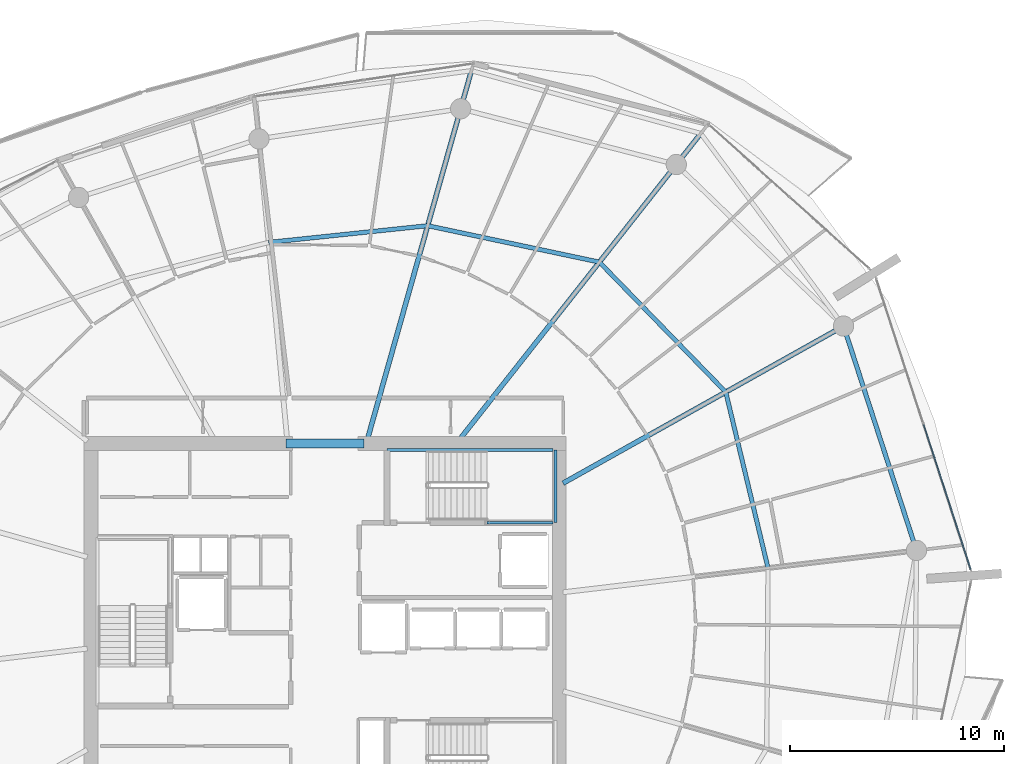
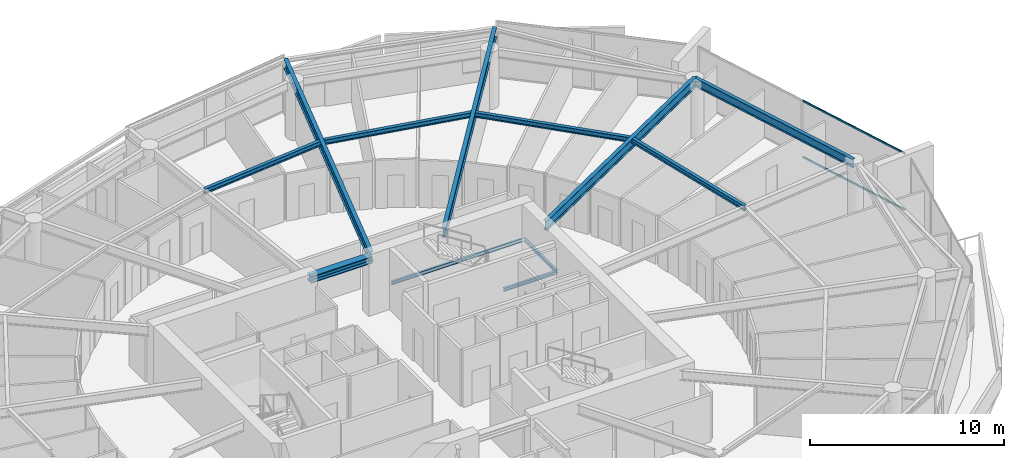
# One storey, part 14 of 30: 12 beams, 2 members, 1 element without a shape of its own.
"""IFC4 building model written with IfcOpenShell, lengths in metres."""

from ifc_helpers import new_model, si_unit, direction, frame, origin, origin_2d, place, context, subcontext, project, spatial, rectangle, i_section, extrude, material, layer, layer_set, material_profile, profile_set, type_object, element, aggregate, save


model = new_model("IFC4")

# Units and contexts
model_context = context("Model", 3, precision=1e-05, world=origin(), true_north=direction((0.0, 1.0)))
body_context = subcontext(model_context, "Body", "Model", "MODEL_VIEW")
ifc_project = project(units=[si_unit("LENGTHUNIT", "METRE"), si_unit("AREAUNIT", "SQUARE_METRE"), si_unit("VOLUMEUNIT", "CUBIC_METRE"), si_unit("PLANEANGLEUNIT", "RADIAN"), si_unit("MASSUNIT", "GRAM", prefix="KILO")], contexts=[model_context])

# Site, building, storey
site_placement = place(None, origin())
site = spatial("IfcSite", under=ifc_project, at=site_placement, CompositionType="ELEMENT")
building_placement = place(site_placement, origin())
building = spatial("IfcBuilding", under=site, at=building_placement, Name="Kazma Halo Residences", CompositionType="ELEMENT")
storey_placement = place(building_placement, frame((0.0, 0.0, 263.64990234375)))
storey = spatial("IfcBuildingStorey", under=building, at=storey_placement, Name="L66", CompositionType="ELEMENT", Elevation=263.64990234375)

# Beams
ifc_material_1 = material(Name="Steel S355", Category="steel")
ifc_material_profile_1 = material_profile(ifc_material_1, i_section(OverallWidth=0.408935546875, OverallDepth=0.425048828125, WebThickness=0.03271484375, FlangeThickness=0.052490234375, FilletRadius=0.02001953125, at=origin_2d()), Name="W360x421")
ifc_profile_set_1 = profile_set([ifc_material_profile_1], Name="Steel S355")
beam_type_1 = type_object("IfcBeamType", Name="BM-CORE-W360H", PredefinedType="BEAM", material=ifc_profile_set_1)
beam_1_placement = place(storey_placement, frame((46.60009765625, 50.324951171875, 3.377685546875), z_axis=(1.0, 0.0, 0.0), x_axis=(0.0, 1.0, 0.0)))
element("IfcBeam", 1, at=beam_1_placement, inside=storey, type_object=beam_type_1, Name="L66 core coupling beam N", PredefinedType="BEAM", context=body_context, shape_type="SweptSolid", body=[
    extrude(i_section(OverallWidth=0.408935546875, OverallDepth=0.425048828125, WebThickness=0.03271484375, FlangeThickness=0.052490234375, FilletRadius=0.02001953125, at=origin_2d()), origin(), (0.0, 0.0, 1.0), 3.64990234375),
])
ifc_material_profile_2 = material_profile(ifc_material_1, i_section(OverallWidth=0.22802734375, OverallDepth=0.60791015625, WebThickness=0.01123046875, FlangeThickness=0.017333984375, FilletRadius=0.01806640625, at=origin_2d()), Name="W610x113")
ifc_profile_set_2 = profile_set([ifc_material_profile_2], Name="Steel S355")
beam_type_2 = type_object("IfcBeamType", Name="BM-RAD-W610", PredefinedType="BEAM", material=ifc_profile_set_2)
beam_2_placement = place(storey_placement, frame((59.550048828125, 48.46826171875, 3.2861328125), z_axis=(0.872498817764, 0.488616222613, 0.0), x_axis=(-0.488616222613, 0.872498817764, 0.0)))
element("IfcBeam", 2, at=beam_2_placement, inside=storey, type_object=beam_type_2, Name="L66 radial floor beam 01", PredefinedType="BEAM", context=body_context, shape_type="SweptSolid", body=[
    extrude(i_section(OverallWidth=0.22802734375, OverallDepth=0.60791015625, WebThickness=0.01123046875, FlangeThickness=0.017333984375, FilletRadius=0.01806640625, at=origin_2d()), origin(), (0.0, 0.0, 1.0), 15.03759765625),
])
beam_3_placement = place(storey_placement, frame((54.700927734375, 50.5, 3.2861328125), z_axis=(0.6190864347, 0.785322854863, 0.0), x_axis=(-0.785322854863, 0.6190864347, 0.0)))
element("IfcBeam", 3, at=beam_3_placement, inside=storey, type_object=beam_type_2, Name="L66 radial floor beam 02", PredefinedType="BEAM", context=body_context, shape_type="SweptSolid", body=[
    extrude(i_section(OverallWidth=0.22802734375, OverallDepth=0.60791015625, WebThickness=0.01123046875, FlangeThickness=0.017333984375, FilletRadius=0.01806640625, at=origin_2d()), origin(), (0.0, 0.0, 1.0), 18.239013671875),
])
beam_4_placement = place(storey_placement, frame((50.397216796875, 50.5, 3.2861328125), z_axis=(0.271445290974, 0.962453871107, 0.0), x_axis=(-0.962453871107, 0.271445290974, 0.0)))
element("IfcBeam", 4, at=beam_4_placement, inside=storey, type_object=beam_type_2, Name="L66 radial floor beam 03", PredefinedType="BEAM", context=body_context, shape_type="SweptSolid", body=[
    extrude(i_section(OverallWidth=0.22802734375, OverallDepth=0.60791015625, WebThickness=0.01123046875, FlangeThickness=0.017333984375, FilletRadius=0.01806640625, at=origin_2d()), origin(), (0.0, 0.0, 1.0), 17.933349609375),
])
ifc_material_profile_3 = material_profile(ifc_material_1, i_section(OverallWidth=0.202880859375, OverallDepth=0.302978515625, WebThickness=0.007568359375, FlangeThickness=0.01318359375, FilletRadius=0.013916015625, at=origin_2d()), Name="W310x60")
ifc_profile_set_3 = profile_set([ifc_material_profile_3], Name="Steel S355")
beam_type_3 = type_object("IfcBeamType", Name="BM-SEC-W310A", PredefinedType="JOIST", material=ifc_profile_set_3)
beam_5_placement = place(storey_placement, frame((67.159912109375, 52.72998046875, 3.4384765625), z_axis=(-0.697145013687, 0.716930142964, 0.0), x_axis=(-0.716930142964, -0.697145013687, 0.0)))
element("IfcBeam", 5, at=beam_5_placement, inside=storey, type_object=beam_type_3, Name="L66 circumferential floor joist 01", PredefinedType="JOIST", context=body_context, shape_type="SweptSolid", body=[
    extrude(i_section(OverallWidth=0.202880859375, OverallDepth=0.302978515625, WebThickness=0.007568359375, FlangeThickness=0.01318359375, FilletRadius=0.013916015625, at=origin_2d()), origin(), (0.0, 0.0, 1.0), 8.477294921875),
])
beam_6_placement = place(storey_placement, frame((61.25, 58.8076171875, 3.4384765625), z_axis=(-0.978235588777, 0.207497308055, 0.0), x_axis=(-0.207497308055, -0.978235588777, 0.0)))
element("IfcBeam", 6, at=beam_6_placement, inside=storey, type_object=beam_type_3, Name="L66 circumferential floor joist 02", PredefinedType="JOIST", context=body_context, shape_type="SweptSolid", body=[
    extrude(i_section(OverallWidth=0.202880859375, OverallDepth=0.302978515625, WebThickness=0.007568359375, FlangeThickness=0.01318359375, FilletRadius=0.013916015625, at=origin_2d()), origin(), (0.0, 0.0, 1.0), 8.2080078125),
])
beam_7_placement = place(storey_placement, frame((53.220703125, 60.5107421875, 3.4384765625), z_axis=(-0.994528326067, -0.104467261141, 0.0), x_axis=(0.104467261141, -0.994528326067, 0.0)))
element("IfcBeam", 7, at=beam_7_placement, inside=storey, type_object=beam_type_3, Name="L66 circumferential floor joist 03", PredefinedType="JOIST", context=body_context, shape_type="SweptSolid", body=[
    extrude(i_section(OverallWidth=0.202880859375, OverallDepth=0.302978515625, WebThickness=0.007568359375, FlangeThickness=0.01318359375, FilletRadius=0.013916015625, at=origin_2d()), origin(), (0.0, 0.0, 1.0), 7.478515625),
])
beam_8_placement = place(storey_placement, frame((69.13720703125, 44.501708984375, 3.4384765625), z_axis=(-0.23365336492, 0.97231996023, 0.0), x_axis=(-0.97231996023, -0.23365336492, 0.0)))
element("IfcBeam", 8, at=beam_8_placement, inside=storey, type_object=beam_type_3, Name="L66 circumferential floor joist 16", PredefinedType="JOIST", context=body_context, shape_type="SweptSolid", body=[
    extrude(i_section(OverallWidth=0.202880859375, OverallDepth=0.302978515625, WebThickness=0.007568359375, FlangeThickness=0.01318359375, FilletRadius=0.013916015625, at=origin_2d()), origin(), (0.0, 0.0, 1.0), 8.46240234375),
])
ifc_material_profile_4 = material_profile(ifc_material_1, i_section(OverallWidth=0.208984375, OverallDepth=0.532958984375, WebThickness=0.01025390625, FlangeThickness=0.015625, FilletRadius=0.01611328125, at=origin_2d()), Name="W530x92")
ifc_profile_set_4 = profile_set([ifc_material_profile_4], Name="Steel S355")
beam_type_4 = type_object("IfcBeamType", Name="BM-SPN-W530", PredefinedType="BEAM", material=ifc_profile_set_4)
beam_9_placement = place(storey_placement, frame((76.07958984375, 45.323486328125, 3.323486328125), z_axis=(-0.309015517474, 0.951056996168, 0.0), x_axis=(-0.951056996168, -0.309015517474, 0.0)))
element("IfcBeam", 9, at=beam_9_placement, inside=storey, type_object=beam_type_4, Name="L66 perimeter ring beam 16", PredefinedType="BEAM", context=body_context, shape_type="SweptSolid", body=[
    extrude(i_section(OverallWidth=0.208984375, OverallDepth=0.532958984375, WebThickness=0.01025390625, FlangeThickness=0.015625, FilletRadius=0.01611328125, at=origin_2d()), origin(), (0.0, 0.0, 1.0), 11.032470703125),
])
ifc_material_profile_5 = material_profile(ifc_material_1, i_section(OverallWidth=0.133056640625, OverallDepth=0.20703125, WebThickness=0.005859375, FlangeThickness=0.00830078125, FilletRadius=0.010009765625, at=origin_2d()), Name="W200x26.6")
ifc_profile_set_5 = profile_set([ifc_material_profile_5], Name="Steel S355")
beam_type_5 = type_object("IfcBeamType", Name="BM-TRIM-W200", PredefinedType="BEAM", material=ifc_profile_set_5)
beam_10_placement = place(storey_placement, frame((51.31005859375, 50.02001953125, 1.6201171875), z_axis=(1.0, 0.0, 0.0), x_axis=(0.0, 1.0, 0.0)))
element("IfcBeam", 10, at=beam_10_placement, inside=storey, type_object=beam_type_5, Name="L66 ST-02 landing north wall ledger", PredefinedType="BEAM", context=body_context, shape_type="SweptSolid", body=[
    extrude(i_section(OverallWidth=0.133056640625, OverallDepth=0.20703125, WebThickness=0.005859375, FlangeThickness=0.00830078125, FilletRadius=0.010009765625, at=origin_2d()), origin(), (0.0, 0.0, 1.0), 7.760009765625),
])
beam_11_placement = place(storey_placement, frame((56.0, 46.6201171875, 1.6201171875), z_axis=(1.0, 0.0, 0.0), x_axis=(0.0, 1.0, 0.0)))
element("IfcBeam", 11, at=beam_11_placement, inside=storey, type_object=beam_type_5, Name="L66 ST-02 landing south wall ledger", PredefinedType="BEAM", context=body_context, shape_type="SweptSolid", body=[
    extrude(i_section(OverallWidth=0.133056640625, OverallDepth=0.20703125, WebThickness=0.005859375, FlangeThickness=0.00830078125, FilletRadius=0.010009765625, at=origin_2d()), origin(), (0.0, 0.0, 1.0), 3.070068359375),
])
beam_12_placement = place(storey_placement, frame((59.18994140625, 46.6201171875, 1.6201171875), z_axis=(0.0, 1.0, 0.0), x_axis=(-1.0, 0.0, 0.0)))
element("IfcBeam", 12, at=beam_12_placement, inside=storey, type_object=beam_type_5, Name="L66 ST-02 landing end wall ledger", PredefinedType="BEAM", context=body_context, shape_type="SweptSolid", body=[
    extrude(i_section(OverallWidth=0.133056640625, OverallDepth=0.20703125, WebThickness=0.005859375, FlangeThickness=0.00830078125, FilletRadius=0.010009765625, at=origin_2d()), origin(), (0.0, 0.0, 1.0), 3.39990234375),
])

# Curtain wall, members
ifc_material_2 = material(Name="Aluminium AW-6063 T6 and Triple-Silver Low-E Glass", Category="aluminium")
ifc_layer = layer(ifc_material_2, 0.139892578125)
ifc_layer_set = layer_set([ifc_layer], Name="Aluminium AW-6063 T6 and Triple-Silver Low-E Glass")
curtain_wall_type = type_object("IfcCurtainWallType", Name="CW-SYS-5", PredefinedType="NOTDEFINED", material=ifc_layer_set)
curtain_wall_placement = place(storey_placement, origin())
curtain_wall = element("IfcCurtainWall", 13, at=curtain_wall_placement, inside=storey, type_object=curtain_wall_type, Name="L66 unitised curtain wall B16", PredefinedType="NOTDEFINED")
ifc_material_3 = material(Name="Aluminium AW-6063 T6", Category="aluminium")
ifc_material_profile_6 = material_profile(ifc_material_3, rectangle(XDim=0.06005859375, YDim=0.10498046875, at=origin_2d()), Name="CWT-60x105")
ifc_profile_set_6 = profile_set([ifc_material_profile_6], Name="Aluminium AW-6063 T6")
member_type = type_object("IfcMemberType", Name="CW-SYS-5-TRN", PredefinedType="USERDEFINED", material=ifc_profile_set_6)
member_1_placement = place(storey_placement, frame((78.613525390625, 44.44091796875, 0.030029296875), z_axis=(-0.308995987448, 0.951063341603, 0.0), x_axis=(-0.951063341603, -0.308995987448, 0.0)))
member_1 = element("IfcMember", 14, at=member_1_placement, type_object=member_type, Name="CWS-5 transom 1.1", ObjectType="TRANSOM", PredefinedType="USERDEFINED", context=body_context, shape_type="SweptSolid", body=[
    extrude(rectangle(XDim=0.06005859375, YDim=0.10498046875, at=origin_2d()), origin(), (0.0, 0.0, 1.0), 7.108642578125),
])
member_2_placement = place(storey_placement, frame((78.613525390625, 44.44091796875, 3.56005859375), z_axis=(-0.308995987448, 0.951063341603, 0.0), x_axis=(-0.951063341603, -0.308995987448, 0.0)))
member_2 = element("IfcMember", 15, at=member_2_placement, type_object=member_type, Name="CWS-5 transom 1.2", ObjectType="TRANSOM", PredefinedType="USERDEFINED", context=body_context, shape_type="SweptSolid", body=[
    extrude(rectangle(XDim=0.06005859375, YDim=0.10498046875, at=origin_2d()), origin(), (0.0, 0.0, 1.0), 7.108642578125),
])
aggregate(curtain_wall, [member_1, member_2])

save(model, "model.ifc")
